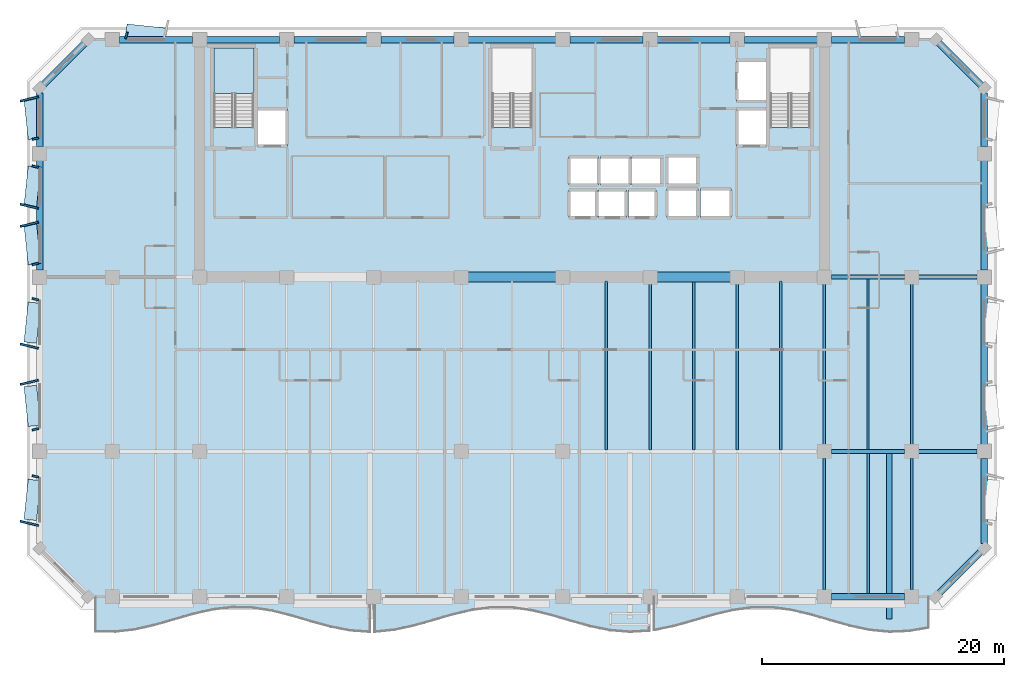
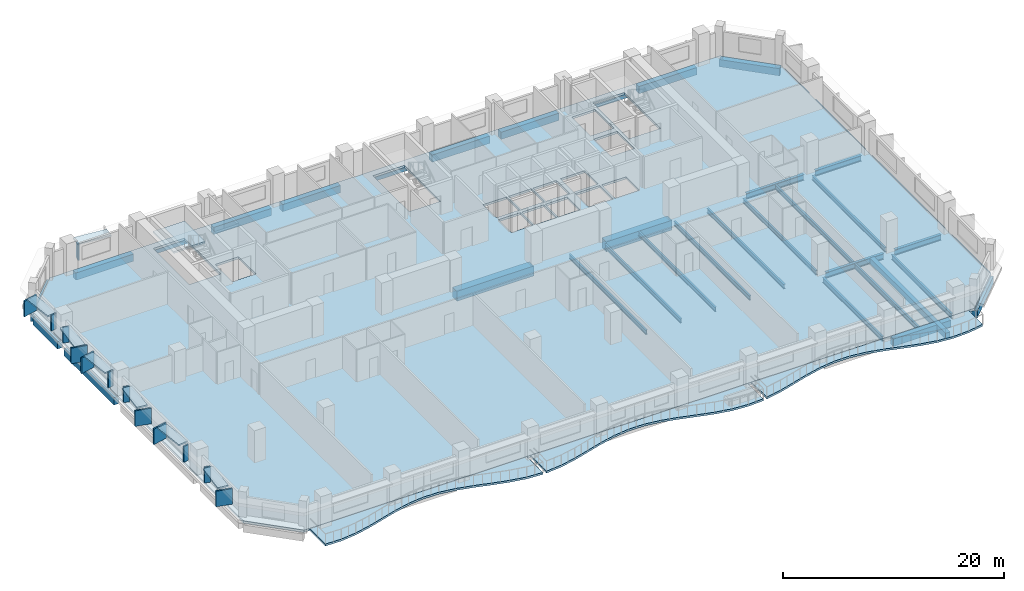
# One storey, part 2 of 14: 37 beams, 20 plates, 5 slabs, 1 element without a shape of its own.
"""IFC4 building model written with IfcOpenShell, lengths in metres."""

import ifcopenshell
import ifcopenshell.guid

model = None  # the IFC model being written
_history = None  # IfcOwnerHistory: only IFC2X3 demands one
_inside = {}  # id of a spatial element -> (the spatial element, [elements in it])
_under = {}  # id of a project, library or spatial element -> (it, [spatial elements below it])
_declared = {}  # id of a project -> (the project, [libraries it declares])
_typed = {}  # id of a type object -> (the type object, [elements of that type])
_made_of = {}  # id of a material, layer set ... -> (it, [elements and type objects made of it])


def new_model(schema):
    """Start an empty IFC model of exactly this schema.

    Asked for "IFC4X3", IfcOpenShell would pick the latest addendum, in which some entities
    have other attributes; the version numbers below select the first issue.
    IFC2X3 requires an IfcOwnerHistory on every rooted entity: one is made here for all.
    """
    global model, _history
    if schema == "IFC4X3":
        model = ifcopenshell.file(schema_version=(4, 3, 0, 0))
    else:
        model = ifcopenshell.file(schema=schema)
    _inside.clear()
    _under.clear()
    _declared.clear()
    _typed.clear()
    _made_of.clear()
    _history = None
    if model.schema == "IFC2X3":
        org = make("IfcOrganization", Name="unknown")
        user = make(
            "IfcPersonAndOrganization",
            ThePerson=make("IfcPerson", FamilyName="unknown"),
            TheOrganization=org,
        )
        app = make(
            "IfcApplication",
            ApplicationDeveloper=org,
            Version="unknown",
            ApplicationFullName="unknown",
            ApplicationIdentifier="unknown",
        )
        _history = make(
            "IfcOwnerHistory",
            OwningUser=user,
            OwningApplication=app,
            ChangeAction="ADDED",
            CreationDate=0,
        )
    return model


def make(cls, **values):
    """One entity of the class cls with the attributes given. An attribute that is None is left unset."""
    return model.create_entity(
        cls, **{name: value for name, value in values.items() if value is not None}
    )


def rooted(cls, **values):
    """An entity with a GlobalId (a new one), such as an element, a storey or a relation."""
    return make(cls, GlobalId=ifcopenshell.guid.new(), OwnerHistory=_history, **values)


def si_unit(unit_type, name, prefix=None):
    """IfcSIUnit, for example si_unit("LENGTHUNIT", "METRE", prefix="MILLI")."""
    return make("IfcSIUnit", UnitType=unit_type, Prefix=prefix, Name=name)


def assignment(units):
    """IfcUnitAssignment: the units of a project."""
    return None if units is None else make("IfcUnitAssignment", Units=units)


def point(xyz):
    """IfcCartesianPoint."""
    return None if xyz is None else make("IfcCartesianPoint", Coordinates=xyz)


def direction(xyz):
    """IfcDirection."""
    return None if xyz is None else make("IfcDirection", DirectionRatios=xyz)


def frame(location, z_axis=None, x_axis=None):
    """IfcAxis2Placement3D, a coordinate frame: its origin and axes. An axis left out is left unset."""
    return make(
        "IfcAxis2Placement3D",
        Location=point(location),
        Axis=direction(z_axis),
        RefDirection=direction(x_axis),
    )


def frame_2d(location, x_axis=None):
    """IfcAxis2Placement2D, a coordinate frame in the plane: its origin and x axis."""
    return make(
        "IfcAxis2Placement2D", Location=point(location), RefDirection=direction(x_axis)
    )


def origin():
    """The frame at (0, 0, 0) with its axes left unset."""
    return frame((0.0, 0.0, 0.0))


def origin_2d():
    """The frame at (0, 0) in the plane with its x axis left unset."""
    return frame_2d((0.0, 0.0))


def place(relative_to, where):
    """IfcLocalPlacement: puts the frame where relative to a parent placement (None: the world)."""
    return make(
        "IfcLocalPlacement", PlacementRelTo=relative_to, RelativePlacement=where
    )


def context(
    kind, dimensions, precision=None, world=None, true_north=None, identifier=None
):
    """IfcGeometricRepresentationContext, for example the 3D "Model" context."""
    return make(
        "IfcGeometricRepresentationContext",
        ContextIdentifier=identifier,
        ContextType=kind,
        CoordinateSpaceDimension=dimensions,
        Precision=precision,
        WorldCoordinateSystem=world,
        TrueNorth=true_north,
    )


def subcontext(parent, identifier, kind, view, scale=None):
    """IfcGeometricRepresentationSubContext, for example "Body" below "Model"."""
    return make(
        "IfcGeometricRepresentationSubContext",
        ContextIdentifier=identifier,
        ContextType=kind,
        ParentContext=parent,
        TargetScale=scale,
        TargetView=view,
    )


def project(units=None, contexts=None):
    """IfcProject with its units and contexts."""
    return rooted(
        "IfcProject",
        Name="project",
        RepresentationContexts=contexts,
        UnitsInContext=assignment(units),
    )


def spatial(cls, under=None, at=None, **own):
    """A site, building, storey or space (cls), placed at a placement, below another one or the project."""
    s = rooted(cls, ObjectPlacement=at, **own)
    if under is not None:
        _under.setdefault(under.id(), (under, []))[1].append(s)
    return s


def polyline(points):
    """IfcPolyline through the points."""
    return make("IfcPolyline", Points=[point(p) for p in points])


def profile(cls, at=None, kind="AREA", **sizes):
    """A parametric profile (cls). Its sizes go by their IFC names, for example OverallWidth=200.0."""
    return make(cls, ProfileType=kind, Position=at, **sizes)


def rectangle(**sizes):
    """IfcRectangleProfileDef."""
    return profile("IfcRectangleProfileDef", **sizes)


def i_section(**sizes):
    """IfcIShapeProfileDef."""
    return profile("IfcIShapeProfileDef", **sizes)


def outline(outer, holes=None, kind="AREA"):
    """IfcArbitraryClosedProfileDef: a profile drawn as a closed curve; with holes, ...WithVoids."""
    if holes is None:
        return make("IfcArbitraryClosedProfileDef", ProfileType=kind, OuterCurve=outer)
    return make(
        "IfcArbitraryProfileDefWithVoids",
        ProfileType=kind,
        OuterCurve=outer,
        InnerCurves=holes,
    )


def extrude(swept, where, along, depth):
    """IfcExtrudedAreaSolid: the profile swept, set in the frame where, extruded along a direction by depth."""
    return make(
        "IfcExtrudedAreaSolid",
        SweptArea=swept,
        Position=where,
        ExtrudedDirection=direction(along),
        Depth=depth,
    )


def shape(context_of_items, identifier, shape_type, items):
    """IfcShapeRepresentation: the items that make up one representation, for example the "Body"."""
    return make(
        "IfcShapeRepresentation",
        ContextOfItems=context_of_items,
        RepresentationIdentifier=identifier,
        RepresentationType=shape_type,
        Items=items,
    )


def material(Name=None, Category=None):
    """IfcMaterial."""
    return make("IfcMaterial", Name=Name, Category=Category)


def layer(
    of_material, thickness, ventilated=None, Name=None, Category=None, Priority=None
):
    """IfcMaterialLayer: one layer of a wall or slab, of a material (None: an air gap)."""
    return make(
        "IfcMaterialLayer",
        Material=of_material,
        LayerThickness=thickness,
        IsVentilated=ventilated,
        Name=Name,
        Category=Category,
        Priority=Priority,
    )


def layer_set(layers, Name=None):
    """IfcMaterialLayerSet."""
    return make("IfcMaterialLayerSet", MaterialLayers=layers, LayerSetName=Name)


def material_profile(
    of_material, cross_section, Name=None, Category=None, Priority=None
):
    """IfcMaterialProfile: a cross section and its material."""
    return make(
        "IfcMaterialProfile",
        Name=Name,
        Material=of_material,
        Profile=cross_section,
        Priority=Priority,
        Category=Category,
    )


def profile_set(profiles, Name=None, composite=None):
    """IfcMaterialProfileSet."""
    return make(
        "IfcMaterialProfileSet",
        Name=Name,
        MaterialProfiles=profiles,
        CompositeProfile=composite,
    )


def made_of(thing, what):
    """Note that an element or type object is made of a material, layer set ...; save() writes the relation."""
    if what is not None:
        _made_of.setdefault(what.id(), (what, []))[1].append(thing)
    return thing


def type_object(cls, material=None, **own):
    """A type object (cls), such as IfcWallType, which elements share."""
    return made_of(rooted(cls, **own), material)


def element(
    cls,
    number,
    at=None,
    inside=None,
    cuts=None,
    type_object=None,
    material=None,
    context=None,
    identifier="Body",
    shape_type=None,
    held_by="IfcProductDefinitionShape",
    body=None,
    shapes=None,
    **own,
):
    """One element of the class cls, such as IfcWall. Its Tag is "e" and its number.

    at: its placement. inside: the storey or other place that contains it. cuts: it is an
    opening in that element (IfcRelVoidsElement). A single representation is given by context,
    identifier, shape_type and body (its items); several are given by shapes. held_by: the class
    of the entity that holds the representations. save() writes the other relations.
    """
    e = rooted(cls, Tag="e%d" % number, ObjectPlacement=at, **own)
    if body is not None:
        shapes = [shape(context, identifier, shape_type, body)]
    if shapes is not None:
        e.Representation = make(held_by, Representations=shapes)
    if inside is not None:
        _inside.setdefault(inside.id(), (inside, []))[1].append(e)
    if cuts is not None:
        rooted(
            "IfcRelVoidsElement", RelatingBuildingElement=cuts, RelatedOpeningElement=e
        )
    if type_object is not None:
        _typed.setdefault(type_object.id(), (type_object, []))[1].append(e)
    return made_of(e, material)


def aggregate(whole, parts):
    """IfcRelAggregates: a whole, such as a stair, and the parts it consists of."""
    return rooted("IfcRelAggregates", RelatingObject=whole, RelatedObjects=parts)


def save(model, path):
    """Write the relations noted so far, then the file.

    IfcRelAggregates (storeys below a building ...), IfcRelContainedInSpatialStructure (elements
    in a storey), IfcRelDefinesByType, IfcRelAssociatesMaterial and IfcRelDeclares: one each for
    every whole, place, type object, material and project.
    """
    for whole, parts in _under.values():
        aggregate(whole, parts)
    for where, things in _inside.values():
        rooted(
            "IfcRelContainedInSpatialStructure",
            RelatedElements=things,
            RelatingStructure=where,
        )
    for kind, things in _typed.values():
        rooted("IfcRelDefinesByType", RelatedObjects=things, RelatingType=kind)
    for what, things in _made_of.values():
        rooted("IfcRelAssociatesMaterial", RelatedObjects=things, RelatingMaterial=what)
    for by, libraries in _declared.values():
        rooted("IfcRelDeclares", RelatingContext=by, RelatedDefinitions=libraries)
    model.write(path)


model = new_model("IFC4")

# Units and contexts
model_context = context("Model", 3, precision=1e-05, world=origin(), true_north=direction((0.0, 1.0)))
body_context = subcontext(model_context, "Body", "Model", "MODEL_VIEW")
ifc_project = project(units=[si_unit("LENGTHUNIT", "METRE"), si_unit("AREAUNIT", "SQUARE_METRE"), si_unit("VOLUMEUNIT", "CUBIC_METRE"), si_unit("PLANEANGLEUNIT", "RADIAN"), si_unit("MASSUNIT", "GRAM", prefix="KILO")], contexts=[model_context])

# Site, building, storey
site_placement = place(None, origin())
site = spatial("IfcSite", under=ifc_project, at=site_placement, CompositionType="ELEMENT")
building_placement = place(site_placement, origin())
building = spatial("IfcBuilding", under=site, at=building_placement, Name="Kaelvorn Grand Hotel", CompositionType="ELEMENT")
storey_placement = place(building_placement, frame((0.0, 0.0, 201.550048828125)))
storey = spatial("IfcBuildingStorey", under=building, at=storey_placement, Name="L49", CompositionType="ELEMENT", Elevation=201.550048828125)

# Beams
ifc_material_1 = material(Name="Steel S355", Category="steel")
ifc_material_profile_1 = material_profile(ifc_material_1, i_section(OverallWidth=0.300048828125, OverallDepth=0.64990234375, WebThickness=0.01611328125, FlangeThickness=0.031005859375, FilletRadius=0.027099609375, at=origin_2d()), Name="HEB 650")
ifc_profile_set_1 = profile_set([ifc_material_profile_1], Name="Steel S355")
beam_type_1 = type_object("IfcBeamType", Name="BM-G-HEB650-S355", PredefinedType="BEAM", material=ifc_profile_set_1)
beam_1_placement = place(storey_placement, frame((68.385009765625, 15.0, -0.56494140625), z_axis=(1.0, 0.0, 0.0), x_axis=(0.0, 1.0, 0.0)))
element("IfcBeam", 1, at=beam_1_placement, inside=storey, type_object=beam_type_1, Name="L49 Primary Spine Steel Girder G-15 06", PredefinedType="BEAM", context=body_context, shape_type="SweptSolid", body=[
    extrude(i_section(OverallWidth=0.300048828125, OverallDepth=0.64990234375, WebThickness=0.01611328125, FlangeThickness=0.031005859375, FilletRadius=0.027099609375, at=origin_2d()), origin(), (0.0, 0.0, 1.0), 6.030029296875),
])
beam_2_placement = place(storey_placement, frame((75.5849609375, 15.0, -0.56494140625), z_axis=(1.0, 0.0, 0.0), x_axis=(0.0, 1.0, 0.0)))
element("IfcBeam", 2, at=beam_2_placement, inside=storey, type_object=beam_type_1, Name="L49 Primary Spine Steel Girder G-15 07", PredefinedType="BEAM", context=body_context, shape_type="SweptSolid", body=[
    extrude(i_section(OverallWidth=0.300048828125, OverallDepth=0.64990234375, WebThickness=0.01611328125, FlangeThickness=0.031005859375, FilletRadius=0.027099609375, at=origin_2d()), origin(), (0.0, 0.0, 1.0), 4.830078125),
])
beam_3_placement = place(storey_placement, frame((68.385009765625, 29.39990234375, -0.56494140625), z_axis=(1.0, 0.0, 0.0), x_axis=(0.0, 1.0, 0.0)))
element("IfcBeam", 3, at=beam_3_placement, inside=storey, type_object=beam_type_1, Name="L49 East Core Wing Steel Girder G-29E 01", PredefinedType="BEAM", context=body_context, shape_type="SweptSolid", body=[
    extrude(i_section(OverallWidth=0.300048828125, OverallDepth=0.64990234375, WebThickness=0.01611328125, FlangeThickness=0.031005859375, FilletRadius=0.027099609375, at=origin_2d()), origin(), (0.0, 0.0, 1.0), 6.030029296875),
])
beam_4_placement = place(storey_placement, frame((75.5849609375, 29.39990234375, -0.56494140625), z_axis=(1.0, 0.0, 0.0), x_axis=(0.0, 1.0, 0.0)))
element("IfcBeam", 4, at=beam_4_placement, inside=storey, type_object=beam_type_1, Name="L49 East Core Wing Steel Girder G-29E 02", PredefinedType="BEAM", context=body_context, shape_type="SweptSolid", body=[
    extrude(i_section(OverallWidth=0.300048828125, OverallDepth=0.64990234375, WebThickness=0.01611328125, FlangeThickness=0.031005859375, FilletRadius=0.027099609375, at=origin_2d()), origin(), (0.0, 0.0, 1.0), 4.830078125),
])
ifc_material_profile_2 = material_profile(ifc_material_1, i_section(OverallWidth=0.199951171875, OverallDepth=0.5, WebThickness=0.01025390625, FlangeThickness=0.01611328125, FilletRadius=0.02099609375, at=origin_2d()), Name="IPE 500")
ifc_profile_set_2 = profile_set([ifc_material_profile_2], Name="Steel S355")
beam_type_2 = type_object("IfcBeamType", Name="BM-J-IPE500-S355", PredefinedType="JOIST", material=ifc_profile_set_2)
beam_5_placement = place(storey_placement, frame((49.800048828125, 15.135009765625, -0.489990234375), z_axis=(0.0, 1.0, 0.0), x_axis=(-1.0, 0.0, 0.0)))
element("IfcBeam", 5, at=beam_5_placement, inside=storey, type_object=beam_type_2, Name="L49 Composite Floor Joist JM-14", PredefinedType="JOIST", context=body_context, shape_type="SweptSolid", body=[
    extrude(i_section(OverallWidth=0.199951171875, OverallDepth=0.5, WebThickness=0.01025390625, FlangeThickness=0.01611328125, FilletRadius=0.02099609375, at=origin_2d()), origin(), (0.0, 0.0, 1.0), 13.925048828125),
])
beam_6_placement = place(storey_placement, frame((53.39990234375, 15.135009765625, -0.489990234375), z_axis=(0.0, 1.0, 0.0), x_axis=(-1.0, 0.0, 0.0)))
element("IfcBeam", 6, at=beam_6_placement, inside=storey, type_object=beam_type_2, Name="L49 Composite Floor Joist JM-15", PredefinedType="JOIST", context=body_context, shape_type="SweptSolid", body=[
    extrude(i_section(OverallWidth=0.199951171875, OverallDepth=0.5, WebThickness=0.01025390625, FlangeThickness=0.01611328125, FilletRadius=0.02099609375, at=origin_2d()), origin(), (0.0, 0.0, 1.0), 13.679931640625),
])
beam_7_placement = place(storey_placement, frame((57.0, 15.135009765625, -0.489990234375), z_axis=(0.0, 1.0, 0.0), x_axis=(-1.0, 0.0, 0.0)))
element("IfcBeam", 7, at=beam_7_placement, inside=storey, type_object=beam_type_2, Name="L49 Composite Floor Joist JM-16", PredefinedType="JOIST", context=body_context, shape_type="SweptSolid", body=[
    extrude(i_section(OverallWidth=0.199951171875, OverallDepth=0.5, WebThickness=0.01025390625, FlangeThickness=0.01611328125, FilletRadius=0.02099609375, at=origin_2d()), origin(), (0.0, 0.0, 1.0), 13.925048828125),
])
beam_8_placement = place(storey_placement, frame((60.60009765625, 15.135009765625, -0.489990234375), z_axis=(0.0, 1.0, 0.0), x_axis=(-1.0, 0.0, 0.0)))
element("IfcBeam", 8, at=beam_8_placement, inside=storey, type_object=beam_type_2, Name="L49 Composite Floor Joist JM-17", PredefinedType="JOIST", context=body_context, shape_type="SweptSolid", body=[
    extrude(i_section(OverallWidth=0.199951171875, OverallDepth=0.5, WebThickness=0.01025390625, FlangeThickness=0.01611328125, FilletRadius=0.02099609375, at=origin_2d()), origin(), (0.0, 0.0, 1.0), 13.679931640625),
])
beam_9_placement = place(storey_placement, frame((64.199951171875, 15.135009765625, -0.489990234375), z_axis=(0.0, 1.0, 0.0), x_axis=(-1.0, 0.0, 0.0)))
element("IfcBeam", 9, at=beam_9_placement, inside=storey, type_object=beam_type_2, Name="L49 Composite Floor Joist JM-18", PredefinedType="JOIST", context=body_context, shape_type="SweptSolid", body=[
    extrude(i_section(OverallWidth=0.199951171875, OverallDepth=0.5, WebThickness=0.01025390625, FlangeThickness=0.01611328125, FilletRadius=0.02099609375, at=origin_2d()), origin(), (0.0, 0.0, 1.0), 13.925048828125),
])
beam_10_placement = place(storey_placement, frame((67.800048828125, 15.5849609375, -0.489990234375), z_axis=(0.0, 1.0, 0.0), x_axis=(-1.0, 0.0, 0.0)))
element("IfcBeam", 10, at=beam_10_placement, inside=storey, type_object=beam_type_2, Name="L49 Composite Floor Joist JM-19", PredefinedType="JOIST", context=body_context, shape_type="SweptSolid", body=[
    extrude(i_section(OverallWidth=0.199951171875, OverallDepth=0.5, WebThickness=0.01025390625, FlangeThickness=0.01611328125, FilletRadius=0.02099609375, at=origin_2d()), origin(), (0.0, 0.0, 1.0), 13.22998046875),
])
beam_11_placement = place(storey_placement, frame((71.39990234375, 15.135009765625, -0.489990234375), z_axis=(0.0, 1.0, 0.0), x_axis=(-1.0, 0.0, 0.0)))
element("IfcBeam", 11, at=beam_11_placement, inside=storey, type_object=beam_type_2, Name="L49 Composite Floor Joist JM-20", PredefinedType="JOIST", context=body_context, shape_type="SweptSolid", body=[
    extrude(i_section(OverallWidth=0.199951171875, OverallDepth=0.5, WebThickness=0.01025390625, FlangeThickness=0.01611328125, FilletRadius=0.02099609375, at=origin_2d()), origin(), (0.0, 0.0, 1.0), 14.1298828125),
])
beam_12_placement = place(storey_placement, frame((75.0, 15.5849609375, -0.489990234375), z_axis=(0.0, 1.0, 0.0), x_axis=(-1.0, 0.0, 0.0)))
element("IfcBeam", 12, at=beam_12_placement, inside=storey, type_object=beam_type_2, Name="L49 Composite Floor Joist JM-21", PredefinedType="JOIST", context=body_context, shape_type="SweptSolid", body=[
    extrude(i_section(OverallWidth=0.199951171875, OverallDepth=0.5, WebThickness=0.01025390625, FlangeThickness=0.01611328125, FilletRadius=0.02099609375, at=origin_2d()), origin(), (0.0, 0.0, 1.0), 13.22998046875),
])
ifc_material_profile_3 = material_profile(ifc_material_1, i_section(OverallWidth=0.2099609375, OverallDepth=0.550048828125, WebThickness=0.010986328125, FlangeThickness=0.01708984375, FilletRadius=0.02392578125, at=origin_2d()), Name="IPE 550")
ifc_profile_set_3 = profile_set([ifc_material_profile_3], Name="Steel S355")
beam_type_3 = type_object("IfcBeamType", Name="BM-J-IPE550-S355", PredefinedType="JOIST", material=ifc_profile_set_3)
beam_13_placement = place(storey_placement, frame((67.800048828125, 3.5849609375, -0.51513671875), z_axis=(0.0, 1.0, 0.0), x_axis=(-1.0, 0.0, 0.0)))
element("IfcBeam", 13, at=beam_13_placement, inside=storey, type_object=beam_type_3, Name="L49 Composite Floor Joist JS-19", PredefinedType="JOIST", context=body_context, shape_type="SweptSolid", body=[
    extrude(i_section(OverallWidth=0.2099609375, OverallDepth=0.550048828125, WebThickness=0.010986328125, FlangeThickness=0.01708984375, FilletRadius=0.02392578125, at=origin_2d()), origin(), (0.0, 0.0, 1.0), 10.830078125),
])
beam_14_placement = place(storey_placement, frame((71.39990234375, 3.260009765625, -0.51513671875), z_axis=(0.0, 1.0, 0.0), x_axis=(-1.0, 0.0, 0.0)))
element("IfcBeam", 14, at=beam_14_placement, inside=storey, type_object=beam_type_3, Name="L49 Composite Floor Joist JS-20", PredefinedType="JOIST", context=body_context, shape_type="SweptSolid", body=[
    extrude(i_section(OverallWidth=0.2099609375, OverallDepth=0.550048828125, WebThickness=0.010986328125, FlangeThickness=0.01708984375, FilletRadius=0.02392578125, at=origin_2d()), origin(), (0.0, 0.0, 1.0), 11.60498046875),
])
beam_15_placement = place(storey_placement, frame((75.0, 3.5849609375, -0.51513671875), z_axis=(0.0, 1.0, 0.0), x_axis=(-1.0, 0.0, 0.0)))
element("IfcBeam", 15, at=beam_15_placement, inside=storey, type_object=beam_type_3, Name="L49 Composite Floor Joist JS-21", PredefinedType="JOIST", context=body_context, shape_type="SweptSolid", body=[
    extrude(i_section(OverallWidth=0.2099609375, OverallDepth=0.550048828125, WebThickness=0.010986328125, FlangeThickness=0.01708984375, FilletRadius=0.02392578125, at=origin_2d()), origin(), (0.0, 0.0, 1.0), 10.830078125),
])
ifc_material_2 = material(Name="Concrete C60/75", Category="concrete")
ifc_material_profile_4 = material_profile(ifc_material_2, rectangle(XDim=0.800048828125, YDim=1.10009765625, at=origin_2d()), Name="RC LINTEL 800x1100")
ifc_profile_set_4 = profile_set([ifc_material_profile_4], Name="Concrete C60/75")
beam_type_4 = type_object("IfcBeamType", Name="BM-LIN-800x1100-C60", PredefinedType="LINTEL", material=ifc_profile_set_4)
beam_16_placement = place(storey_placement, frame((37.97998046875, 29.39990234375, -0.7900390625), z_axis=(1.0, 0.0, 0.0), x_axis=(0.0, 1.0, 0.0)))
element("IfcBeam", 16, at=beam_16_placement, inside=storey, type_object=beam_type_4, Name="L49 Rear-Core Coupling Lintel Beam CB1-02", PredefinedType="LINTEL", context=body_context, shape_type="SweptSolid", body=[
    extrude(rectangle(XDim=0.800048828125, YDim=1.10009765625, at=origin_2d()), origin(), (0.0, 0.0, 1.0), 8.0400390625),
])
beam_17_placement = place(storey_placement, frame((53.580078125, 29.39990234375, -0.7900390625), z_axis=(1.0, 0.0, 0.0), x_axis=(0.0, 1.0, 0.0)))
element("IfcBeam", 17, at=beam_17_placement, inside=storey, type_object=beam_type_4, Name="L49 Rear-Core Coupling Lintel Beam CB1-03", PredefinedType="LINTEL", context=body_context, shape_type="SweptSolid", body=[
    extrude(rectangle(XDim=0.800048828125, YDim=1.10009765625, at=origin_2d()), origin(), (0.0, 0.0, 1.0), 6.83984375),
])
ifc_material_3 = material(Name="Concrete C40/50", Category="concrete")
ifc_material_profile_5 = material_profile(ifc_material_3, rectangle(XDim=0.449951171875, YDim=0.64990234375, at=origin_2d()), Name="RC RIB 450x650")
ifc_profile_set_5 = profile_set([ifc_material_profile_5], Name="Concrete C40/50")
beam_type_5 = type_object("IfcBeamType", Name="BM-RIB-450x650-C40", PredefinedType="SPANDREL", material=ifc_profile_set_5)
beam_18_placement = place(storey_placement, frame((73.161865234375, 1.14990234375, -0.545166015625), z_axis=(0.0, 1.0, 0.0), x_axis=(-1.0, 0.0, 0.0)))
element("IfcBeam", 18, at=beam_18_placement, inside=storey, type_object=beam_type_5, Name="L49 Cantilevered Balcony Back-Span Rib RB1-3", PredefinedType="SPANDREL", context=body_context, shape_type="SweptSolid", body=[
    extrude(rectangle(XDim=0.449951171875, YDim=0.64990234375, at=origin_2d()), origin(), (0.0, 0.0, 1.0), 13.715087890625),
])
ifc_material_4 = material(Name="Concrete C50/60", Category="concrete")
ifc_material_profile_6 = material_profile(ifc_material_4, rectangle(XDim=0.550048828125, YDim=0.800048828125, at=origin_2d()), Name="RC SPANDREL 550x800")
ifc_profile_set_6 = profile_set([ifc_material_profile_6], Name="Concrete C50/60")
beam_type_6 = type_object("IfcBeamType", Name="BM-SP-550x800-C50", PredefinedType="SPANDREL", material=ifc_profile_set_6)
for number, where, z_axis, x_axis, name in (
    (19, (68.385009765625, 3.0, -0.64013671875), (1.0, 0.0, 0.0), (0.0, 1.0, 0.0), "L49 South Perimeter Spandrel 10"),
    (20, (9.5849609375, 49.0, -0.64013671875), (1.0, 0.0, 0.0), (0.0, 1.0, 0.0), "L49 North Perimeter Spandrel 02"),
    (21, (16.784912109375, 49.0, -0.64013671875), (1.0, 0.0, 0.0), (0.0, 1.0, 0.0), "L49 North Perimeter Spandrel 03"),
):
    element("IfcBeam", number, at=place(storey_placement, frame(where, z_axis=z_axis, x_axis=x_axis)), inside=storey, type_object=beam_type_6, Name=name, PredefinedType="SPANDREL", context=body_context, shape_type="SweptSolid", body=[
        extrude(rectangle(XDim=0.550048828125, YDim=0.800048828125, at=origin_2d()), origin(), (0.0, 0.0, 1.0), 6.030029296875),
    ])
beam_19_placement = place(storey_placement, frame((23.985107421875, 49.0, -0.64013671875), z_axis=(1.0, 0.0, 0.0), x_axis=(0.0, 1.0, 0.0)))
element("IfcBeam", 22, at=beam_19_placement, inside=storey, type_object=beam_type_6, Name="L49 North Perimeter Spandrel 04", PredefinedType="SPANDREL", context=body_context, shape_type="SweptSolid", body=[
    extrude(rectangle(XDim=0.550048828125, YDim=0.800048828125, at=origin_2d()), origin(), (0.0, 0.0, 1.0), 6.02978515625),
])
beam_20_placement = place(storey_placement, frame((31.18505859375, 49.0, -0.64013671875), z_axis=(1.0, 0.0, 0.0), x_axis=(0.0, 1.0, 0.0)))
element("IfcBeam", 23, at=beam_20_placement, inside=storey, type_object=beam_type_6, Name="L49 North Perimeter Spandrel 05", PredefinedType="SPANDREL", context=body_context, shape_type="SweptSolid", body=[
    extrude(rectangle(XDim=0.550048828125, YDim=0.800048828125, at=origin_2d()), origin(), (0.0, 0.0, 1.0), 6.030029296875),
])
beam_21_placement = place(storey_placement, frame((38.385009765625, 49.0, -0.64013671875), z_axis=(1.0, 0.0, 0.0), x_axis=(0.0, 1.0, 0.0)))
element("IfcBeam", 24, at=beam_21_placement, inside=storey, type_object=beam_type_6, Name="L49 North Perimeter Spandrel 06", PredefinedType="SPANDREL", context=body_context, shape_type="SweptSolid", body=[
    extrude(rectangle(XDim=0.550048828125, YDim=0.800048828125, at=origin_2d()), origin(), (0.0, 0.0, 1.0), 7.22998046875),
])
beam_22_placement = place(storey_placement, frame((46.784912109375, 49.0, -0.64013671875), z_axis=(1.0, 0.0, 0.0), x_axis=(0.0, 1.0, 0.0)))
element("IfcBeam", 25, at=beam_22_placement, inside=storey, type_object=beam_type_6, Name="L49 North Perimeter Spandrel 07", PredefinedType="SPANDREL", context=body_context, shape_type="SweptSolid", body=[
    extrude(rectangle(XDim=0.550048828125, YDim=0.800048828125, at=origin_2d()), origin(), (0.0, 0.0, 1.0), 6.030029296875),
])
beam_23_placement = place(storey_placement, frame((53.985107421875, 49.0, -0.64013671875), z_axis=(1.0, 0.0, 0.0), x_axis=(0.0, 1.0, 0.0)))
element("IfcBeam", 26, at=beam_23_placement, inside=storey, type_object=beam_type_6, Name="L49 North Perimeter Spandrel 08", PredefinedType="SPANDREL", context=body_context, shape_type="SweptSolid", body=[
    extrude(rectangle(XDim=0.550048828125, YDim=0.800048828125, at=origin_2d()), origin(), (0.0, 0.0, 1.0), 6.02978515625),
])
for number, where, z_axis, x_axis, name in (
    (27, (61.18505859375, 49.0, -0.64013671875), (1.0, 0.0, 0.0), (0.0, 1.0, 0.0), "L49 North Perimeter Spandrel 09"),
    (28, (68.385009765625, 49.0, -0.64013671875), (1.0, 0.0, 0.0), (0.0, 1.0, 0.0), "L49 North Perimeter Spandrel 10"),
):
    element("IfcBeam", number, at=place(storey_placement, frame(where, z_axis=z_axis, x_axis=x_axis)), inside=storey, type_object=beam_type_6, Name=name, PredefinedType="SPANDREL", context=body_context, shape_type="SweptSolid", body=[
        extrude(rectangle(XDim=0.550048828125, YDim=0.800048828125, at=origin_2d()), origin(), (0.0, 0.0, 1.0), 6.030029296875),
    ])
beam_24_placement = place(storey_placement, frame((3.0, 29.985107421875, -0.64013671875), z_axis=(0.0, 1.0, 0.0), x_axis=(-1.0, 0.0, 0.0)))
element("IfcBeam", 29, at=beam_24_placement, inside=storey, type_object=beam_type_6, Name="L49 West Perimeter Spandrel 03", PredefinedType="SPANDREL", context=body_context, shape_type="SweptSolid", body=[
    extrude(rectangle(XDim=0.550048828125, YDim=0.800048828125, at=origin_2d()), origin(), (0.0, 0.0, 1.0), 9.02978515625),
])
beam_25_placement = place(storey_placement, frame((3.0, 40.18505859375, -0.64013671875), z_axis=(0.0, 1.0, 0.0), x_axis=(-1.0, 0.0, 0.0)))
element("IfcBeam", 30, at=beam_25_placement, inside=storey, type_object=beam_type_6, Name="L49 West Perimeter Spandrel 04", PredefinedType="SPANDREL", context=body_context, shape_type="SweptSolid", body=[
    extrude(rectangle(XDim=0.550048828125, YDim=0.800048828125, at=origin_2d()), origin(), (0.0, 0.0, 1.0), 4.409912109375),
])
beam_26_placement = place(storey_placement, frame((81.0, 7.405029296875, -0.64013671875), z_axis=(0.0, 1.0, 0.0), x_axis=(-1.0, 0.0, 0.0)))
element("IfcBeam", 31, at=beam_26_placement, inside=storey, type_object=beam_type_6, Name="L49 East Perimeter Spandrel 01", PredefinedType="SPANDREL", context=body_context, shape_type="SweptSolid", body=[
    extrude(rectangle(XDim=0.550048828125, YDim=0.800048828125, at=origin_2d()), origin(), (0.0, 0.0, 1.0), 7.010009765625),
])
beam_27_placement = place(storey_placement, frame((81.0, 15.5849609375, -0.64013671875), z_axis=(0.0, 1.0, 0.0), x_axis=(-1.0, 0.0, 0.0)))
element("IfcBeam", 32, at=beam_27_placement, inside=storey, type_object=beam_type_6, Name="L49 East Perimeter Spandrel 02", PredefinedType="SPANDREL", context=body_context, shape_type="SweptSolid", body=[
    extrude(rectangle(XDim=0.550048828125, YDim=0.800048828125, at=origin_2d()), origin(), (0.0, 0.0, 1.0), 13.22998046875),
])
beam_28_placement = place(storey_placement, frame((81.0, 29.985107421875, -0.64013671875), z_axis=(0.0, 1.0, 0.0), x_axis=(-1.0, 0.0, 0.0)))
element("IfcBeam", 33, at=beam_28_placement, inside=storey, type_object=beam_type_6, Name="L49 East Perimeter Spandrel 03", PredefinedType="SPANDREL", context=body_context, shape_type="SweptSolid", body=[
    extrude(rectangle(XDim=0.550048828125, YDim=0.800048828125, at=origin_2d()), origin(), (0.0, 0.0, 1.0), 9.02978515625),
])
beam_29_placement = place(storey_placement, frame((81.0, 40.18505859375, -0.64013671875), z_axis=(0.0, 1.0, 0.0), x_axis=(-1.0, 0.0, 0.0)))
element("IfcBeam", 34, at=beam_29_placement, inside=storey, type_object=beam_type_6, Name="L49 East Perimeter Spandrel 04", PredefinedType="SPANDREL", context=body_context, shape_type="SweptSolid", body=[
    extrude(rectangle(XDim=0.550048828125, YDim=0.800048828125, at=origin_2d()), origin(), (0.0, 0.0, 1.0), 4.409912109375),
])
for number, where, z_axis, x_axis, name in (
    (35, (77.0, 3.0, -0.64013671875), (0.707106781187, 0.707106781187, 0.0), (-0.707106781187, 0.707106781187, 0.0), "L49 Chamfer Spandrel Beam 1"),
    (36, (81.0, 45.0, -0.64013671875), (-0.707106781187, 0.707106781187, 0.0), (-0.707106781187, -0.707106781187, 0.0), "L49 Chamfer Spandrel Beam 2"),
    (37, (7.0, 49.0, -0.64013671875), (-0.707106781187, -0.707106781187, 0.0), (0.707106781187, -0.707106781187, 0.0), "L49 Chamfer Spandrel Beam 3"),
):
    element("IfcBeam", number, at=place(storey_placement, frame(where, z_axis=z_axis, x_axis=x_axis)), inside=storey, type_object=beam_type_6, Name=name, PredefinedType="SPANDREL", context=body_context, shape_type="SweptSolid", body=[
        extrude(rectangle(XDim=0.550048828125, YDim=0.800048828125, at=origin_2d()), origin(), (0.0, 0.0, 1.0), 5.65673828125),
    ])

# Plates
ifc_material_5 = material(Name="Precast concrete C45/55", Category="concrete")
ifc_layer_1 = layer(ifc_material_5, 0.159912109375)
ifc_layer_set_1 = layer_set([ifc_layer_1], Name="Precast concrete C45/55")
plate_type_1 = type_object("IfcPlateType", Name="PL-FRAME-DEEP-1550", PredefinedType="USERDEFINED", material=ifc_layer_set_1)
for number, where, z_axis, x_axis, name in (
    (38, (2.14501953125, 9.06005859375, 0.81494140625), (0.0, 0.0, 1.0), (0.233445363856, 0.972369920398, 0.0), "L49 Tilted Precast Window Frame Fin L-W01"),
    (39, (2.14501953125, 20.705078125, 0.81494140625), (0.0, 0.0, 1.0), (-0.233445363856, 0.972369920398, 0.0), "L49 Tilted Precast Window Frame Fin R-W02"),
    (40, (2.14501953125, 23.695068359375, 0.81494140625), (0.0, 0.0, 1.0), (0.233445363856, 0.972369920398, 0.0), "L49 Tilted Precast Window Frame Fin L-W03"),
    (41, (2.14501953125, 33.7548828125, 0.73974609375), (0.0, 0.0, 1.0), (-0.233445363856, 0.972369920398, 0.0), "L49 Tilted Precast Window Frame Fin R-W04"),
    (42, (2.14501953125, 35.2451171875, 0.73974609375), (0.0, 0.0, 1.0), (0.233445363856, 0.972369920398, 0.0), "L49 Tilted Precast Window Frame Fin L-W05"),
    (43, (2.14501953125, 44.10498046875, 0.73974609375), (0.0, 0.0, 1.0), (-0.233445363856, 0.972369920398, 0.0), "L49 Tilted Precast Window Frame Fin R-W06"),
):
    element("IfcPlate", number, at=place(storey_placement, frame(where, z_axis=z_axis, x_axis=x_axis)), inside=storey, type_object=plate_type_1, Name=name, ObjectType="FLANGE_PLATE", PredefinedType="USERDEFINED", context=body_context, shape_type="SweptSolid", body=[
        extrude(rectangle(XDim=0.159912109375, YDim=1.550048828125, at=origin_2d()), origin(), (0.0, 0.0, 1.0), 1.719970703125),
    ])
ifc_layer_2 = layer(ifc_material_5, 0.159912109375)
ifc_layer_set_2 = layer_set([ifc_layer_2], Name="Precast concrete C45/55")
plate_type_2 = type_object("IfcPlateType", Name="PL-FRAME-HEAD-1050", PredefinedType="USERDEFINED", material=ifc_layer_set_2)
for number, where, z_axis, x_axis, name in (
    (44, (2.39501953125, 11.0, 2.5), (0.0, 0.0, 1.0), (0.105830199459, 0.994384215926, 0.0), "L49 Precast Window Frame Head Hood H-W01"),
    (45, (2.39501953125, 18.764892578125, 2.5), (0.0, 0.0, 1.0), (-0.105830199459, 0.994384215926, 0.0), "L49 Precast Window Frame Head Hood H-W02"),
    (46, (2.39501953125, 25.635009765625, 2.5), (0.0, 0.0, 1.0), (0.105830199459, 0.994384215926, 0.0), "L49 Precast Window Frame Head Hood H-W03"),
    (47, (2.39501953125, 32.114990234375, 2.35009765625), (0.0, 0.0, 1.0), (-0.105830199459, 0.994384215926, 0.0), "L49 Precast Window Frame Head Hood H-W04"),
    (48, (2.39501953125, 36.885009765625, 2.35009765625), (0.0, 0.0, 1.0), (0.105830199459, 0.994384215926, 0.0), "L49 Precast Window Frame Head Hood H-W05"),
    (49, (2.39501953125, 42.465087890625, 2.35009765625), (0.0, 0.0, 1.0), (-0.105830199459, 0.994384215926, 0.0), "L49 Precast Window Frame Head Hood H-W06"),
    (50, (11.800048828125, 49.60498046875, 2.35009765625), (0.0, 0.0, 1.0), (0.994384215926, -0.105830199459, 0.0), "L49 Precast Window Frame Head Hood H-N01"),
):
    element("IfcPlate", number, at=place(storey_placement, frame(where, z_axis=z_axis, x_axis=x_axis)), inside=storey, type_object=plate_type_2, Name=name, ObjectType="FLANGE_PLATE", PredefinedType="USERDEFINED", context=body_context, shape_type="SweptSolid", body=[
        extrude(rectangle(XDim=3.320068359375, YDim=1.050048828125, at=origin_2d()), origin(), (0.0, 0.0, 1.0), 0.159912109375),
    ])
ifc_layer_3 = layer(ifc_material_5, 0.159912109375)
ifc_layer_set_3 = layer_set([ifc_layer_3], Name="Precast concrete C45/55")
plate_type_3 = type_object("IfcPlateType", Name="PL-FRAME-SHAL-550", PredefinedType="USERDEFINED", material=ifc_layer_set_3)
for number, where, z_axis, x_axis, name in (
    (51, (2.64501953125, 12.93994140625, 0.81494140625), (0.0, 0.0, 1.0), (0.233445363856, 0.972369920398, 0.0), "L49 Tilted Precast Window Frame Fin R-W01"),
    (52, (2.64501953125, 16.824951171875, 0.81494140625), (0.0, 0.0, 1.0), (-0.233445363856, 0.972369920398, 0.0), "L49 Tilted Precast Window Frame Fin L-W02"),
    (53, (2.64501953125, 27.574951171875, 0.81494140625), (0.0, 0.0, 1.0), (0.233445363856, 0.972369920398, 0.0), "L49 Tilted Precast Window Frame Fin R-W03"),
    (54, (2.64501953125, 30.47509765625, 0.73974609375), (0.0, 0.0, 1.0), (-0.233445363856, 0.972369920398, 0.0), "L49 Tilted Precast Window Frame Fin L-W04"),
    (55, (2.64501953125, 38.52490234375, 0.73974609375), (0.0, 0.0, 1.0), (0.233445363856, 0.972369920398, 0.0), "L49 Tilted Precast Window Frame Fin R-W05"),
    (56, (2.64501953125, 40.824951171875, 0.73974609375), (0.0, 0.0, 1.0), (-0.233445363856, 0.972369920398, 0.0), "L49 Tilted Precast Window Frame Fin L-W06"),
    (57, (10.159912109375, 49.35498046875, 0.73974609375), (0.0, 0.0, 1.0), (0.972369920398, -0.233445363856, 0.0), "L49 Tilted Precast Window Frame Fin L-N01"),
):
    element("IfcPlate", number, at=place(storey_placement, frame(where, z_axis=z_axis, x_axis=x_axis)), inside=storey, type_object=plate_type_3, Name=name, ObjectType="FLANGE_PLATE", PredefinedType="USERDEFINED", context=body_context, shape_type="SweptSolid", body=[
        extrude(rectangle(XDim=0.159912109375, YDim=0.550048828125, at=origin_2d()), origin(), (0.0, 0.0, 1.0), 1.719970703125),
    ])

# Slabs
ifc_layer_4 = layer(ifc_material_3, 0.219970703125)
ifc_layer_set_4 = layer_set([ifc_layer_4], Name="Concrete C40/50")
slab_type_1 = type_object("IfcSlabType", Name="SLB-BALC-220-C40", PredefinedType="FLOOR", material=ifc_layer_set_4)
slab_1_placement = place(storey_placement, frame((0.0, 0.0, -0.219970703125)))
element("IfcSlab", 58, at=slab_1_placement, inside=storey, type_object=slab_type_1, Name="L49 Scalloped Wave Balcony Slab 1", PredefinedType="FLOOR", context=body_context, shape_type="SweptSolid", body=[
    extrude(outline(polyline([(7.60009765625, 0.150146484375), (9.218994140625, 0.112548828125), (10.838134765625, 0.29541015625), (12.45703125, 0.658935546875), (14.076171875, 1.123779296875), (15.6953125, 1.589111328125), (17.314208984375, 1.953125), (18.933349609375, 2.136962890625), (20.552490234375, 2.1005859375), (22.17138671875, 1.8515625), (23.79052734375, 1.4443359375), (25.409423828125, 0.9677734375), (27.028564453125, 0.525390625), (28.647705078125, 0.21337890625), (30.2666015625, 0.10009765625), (30.2666015625, 3.0), (7.60009765625, 3.0), (7.60009765625, 0.150146484375)])), origin(), (0.0, 0.0, 1.0), 0.219970703125),
])
slab_2_placement = place(storey_placement, frame((0.0, 0.0, -0.219970703125)))
element("IfcSlab", 59, at=slab_2_placement, inside=storey, type_object=slab_type_1, Name="L49 Scalloped Wave Balcony Slab 2", PredefinedType="FLOOR", context=body_context, shape_type="SweptSolid", body=[
    extrude(outline(polyline([(30.666748046875, 0.1064453125), (32.28564453125, 0.26953125), (33.90478515625, 0.618896484375), (35.52392578125, 1.078369140625), (37.142822265625, 1.548095703125), (38.761962890625, 1.92578125), (40.380859375, 2.12890625), (42.0, 2.113525390625), (43.619140625, 1.8828125), (45.238037109375, 1.4873046875), (46.857177734375, 1.0126953125), (48.47607421875, 0.562744140625), (50.09521484375, 0.235107421875), (51.71435546875, 0.10107421875), (53.333251953125, 0.190185546875), (53.333251953125, 3.0), (30.666748046875, 3.0), (30.666748046875, 0.1064453125)])), origin(), (0.0, 0.0, 1.0), 0.219970703125),
])
slab_3_placement = place(storey_placement, frame((0.0, 0.0, -0.219970703125)))
element("IfcSlab", 60, at=slab_3_placement, inside=storey, type_object=slab_type_1, Name="L49 Scalloped Wave Balcony Slab 3", PredefinedType="FLOOR", context=body_context, shape_type="SweptSolid", body=[
    extrude(outline(polyline([(53.7333984375, 0.245361328125), (55.352294921875, 0.579833984375), (56.971435546875, 1.033203125), (58.590576171875, 1.50634765625), (60.20947265625, 1.896484375), (61.82861328125, 2.11865234375), (63.447509765625, 2.12451171875), (65.066650390625, 1.912841796875), (66.685791015625, 1.529296875), (68.3046875, 1.05810546875), (69.923828125, 0.601318359375), (71.54296875, 0.258544921875), (73.161865234375, 0.1044921875), (74.781005859375, 0.172607421875), (76.39990234375, 0.447998046875), (76.39990234375, 3.0), (53.7333984375, 3.0), (53.7333984375, 0.245361328125)])), origin(), (0.0, 0.0, 1.0), 0.219970703125),
])
ifc_layer_5 = layer(ifc_material_3, 0.239990234375)
ifc_layer_set_5 = layer_set([ifc_layer_5], Name="Concrete C40/50")
slab_type_2 = type_object("IfcSlabType", Name="SLB-FLR-240-C40", PredefinedType="FLOOR", material=ifc_layer_set_5)
slab_4_placement = place(storey_placement, frame((0.0, 0.0, -0.239990234375)))
element("IfcSlab", 61, at=slab_4_placement, inside=storey, type_object=slab_type_2, Name="L49 Indoor Suspended Floor Slab", PredefinedType="FLOOR", context=body_context, shape_type="SweptSolid", body=[
    extrude(outline(polyline([(7.0, 3.0), (77.0, 3.0), (81.0, 7.0), (81.0, 45.0), (77.0, 49.0), (7.0, 49.0), (3.0, 45.0), (3.0, 7.0), (7.0, 3.0)]), holes=[polyline([(17.39990234375, 41.760009765625), (17.39990234375, 48.300048828125), (20.679931640625, 48.300048828125), (20.679931640625, 41.760009765625), (17.39990234375, 41.760009765625)]), polyline([(40.360107421875, 41.760009765625), (40.360107421875, 48.300048828125), (43.639892578125, 48.300048828125), (43.639892578125, 41.760009765625), (40.360107421875, 41.760009765625)]), polyline([(63.320068359375, 41.760009765625), (63.320068359375, 48.300048828125), (66.60009765625, 48.300048828125), (66.60009765625, 41.760009765625), (63.320068359375, 41.760009765625)]), polyline([(46.699951171875, 34.300048828125), (46.699951171875, 36.60009765625), (49.0, 36.60009765625), (49.0, 34.300048828125), (46.699951171875, 34.300048828125)]), polyline([(49.14990234375, 34.300048828125), (49.14990234375, 36.60009765625), (51.449951171875, 36.60009765625), (51.449951171875, 34.300048828125), (49.14990234375, 34.300048828125)]), polyline([(51.60009765625, 34.300048828125), (51.60009765625, 36.60009765625), (53.89990234375, 36.60009765625), (53.89990234375, 34.300048828125), (51.60009765625, 34.300048828125)]), polyline([(46.699951171875, 37.0), (46.699951171875, 39.35009765625), (49.14990234375, 39.35009765625), (49.14990234375, 37.0), (46.699951171875, 37.0)]), polyline([(49.300048828125, 37.0), (49.300048828125, 39.35009765625), (51.75, 39.35009765625), (51.75, 37.0), (49.300048828125, 37.0)]), polyline([(51.89990234375, 37.0), (51.89990234375, 39.35009765625), (54.35009765625, 39.35009765625), (54.35009765625, 37.0), (51.89990234375, 37.0)]), polyline([(54.800048828125, 34.300048828125), (54.800048828125, 36.699951171875), (57.35009765625, 36.699951171875), (57.35009765625, 34.300048828125), (54.800048828125, 34.300048828125)]), polyline([(57.550048828125, 34.300048828125), (57.550048828125, 36.699951171875), (60.10009765625, 36.699951171875), (60.10009765625, 34.300048828125), (57.550048828125, 34.300048828125)]), polyline([(54.800048828125, 37.0), (54.800048828125, 39.39990234375), (57.35009765625, 39.39990234375), (57.35009765625, 37.0), (54.800048828125, 37.0)]), polyline([(21.0, 40.199951171875), (21.0, 43.300048828125), (23.449951171875, 43.300048828125), (23.449951171875, 40.199951171875), (21.0, 40.199951171875)]), polyline([(60.550048828125, 40.199951171875), (60.550048828125, 43.300048828125), (63.0, 43.300048828125), (63.0, 40.199951171875), (60.550048828125, 40.199951171875)]), polyline([(60.550048828125, 43.89990234375), (60.550048828125, 47.300048828125), (63.0, 47.300048828125), (63.0, 43.89990234375), (60.550048828125, 43.89990234375)])]), origin(), (0.0, 0.0, 1.0), 0.239990234375),
])

# Stair, slab
stair_type = type_object("IfcStairType", Name="STR-DOG-1560-R08", PredefinedType="HALF_TURN_STAIR", material=ifc_material_3)
stair_placement = place(storey_placement, origin())
stair = element("IfcStair", 62, at=stair_placement, inside=storey, type_object=stair_type, Name="L49 West Core Exit Stair ST1", PredefinedType="HALF_TURN_STAIR")
ifc_layer_6 = layer(ifc_material_3, 0.199951171875)
ifc_layer_set_6 = layer_set([ifc_layer_6], Name="Concrete C40/50")
slab_type_3 = type_object("IfcSlabType", Name="SLB-LAND-200-C40", PredefinedType="LANDING", material=ifc_layer_set_6)
slab_5_placement = place(storey_placement, frame((0.0, 0.0, 1.699951171875)))
slab_5 = element("IfcSlab", 63, at=slab_5_placement, type_object=slab_type_3, Name="ST1 landing 1", PredefinedType="LANDING", context=body_context, shape_type="SweptSolid", body=[
    extrude(outline(polyline([(20.679931640625, 44.56005859375), (20.679931640625, 48.300048828125), (17.39990234375, 48.300048828125), (17.39990234375, 44.56005859375), (20.679931640625, 44.56005859375)])), origin(), (0.0, 0.0, 1.0), 0.199951171875),
])
aggregate(stair, [slab_5])

save(model, "model.ifc")
